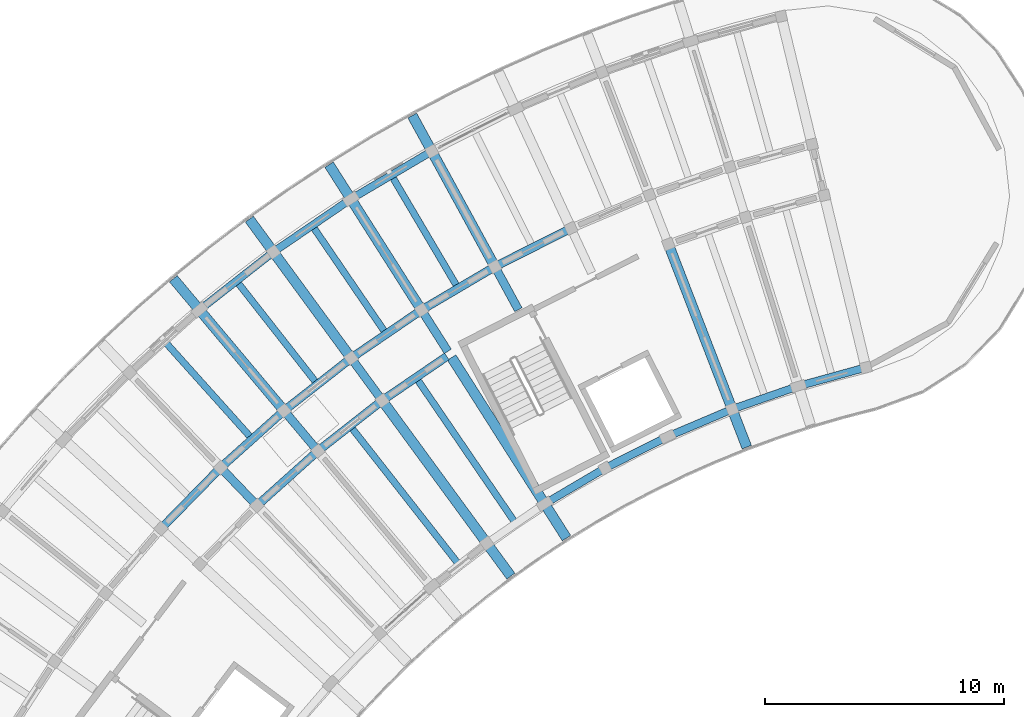
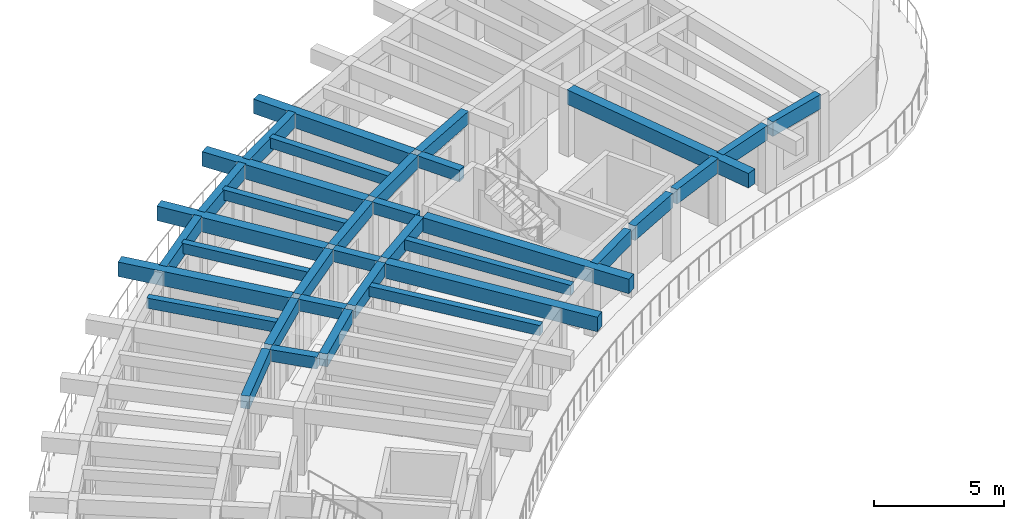
# One storey, part 6 of 32: 35 beams.
"""IFC4 building model written with IfcOpenShell, lengths in metres."""

from ifc_helpers import new_model, si_unit, direction, frame, origin, origin_2d, place, context, subcontext, project, spatial, rectangle, extrude, material, material_profile, profile_set, type_object, element, save


model = new_model("IFC4")

# Units and contexts
model_context = context("Model", 3, precision=1e-05, world=origin(), true_north=direction((0.0, 1.0)))
body_context = subcontext(model_context, "Body", "Model", "MODEL_VIEW")
ifc_project = project(units=[si_unit("LENGTHUNIT", "METRE"), si_unit("AREAUNIT", "SQUARE_METRE"), si_unit("VOLUMEUNIT", "CUBIC_METRE"), si_unit("PLANEANGLEUNIT", "RADIAN"), si_unit("MASSUNIT", "GRAM", prefix="KILO")], contexts=[model_context])

# Site, building, storey
site_placement = place(None, origin())
site = spatial("IfcSite", under=ifc_project, at=site_placement, CompositionType="ELEMENT")
building_placement = place(site_placement, origin())
building = spatial("IfcBuilding", under=site, at=building_placement, Name="Tanwirah Colonnade Gardens", CompositionType="ELEMENT")
storey_placement = place(building_placement, frame((0.0, 0.0, 42.43994140625)))
storey = spatial("IfcBuildingStorey", under=building, at=storey_placement, Name="L12", CompositionType="ELEMENT", Elevation=42.43994140625)

# Beams
ifc_material_1 = material(Name="Precast concrete C40/50", Category="concrete")
ifc_material_profile_1 = material_profile(ifc_material_1, rectangle(XDim=0.35009765625, YDim=0.550048828125, at=origin_2d()), Name="PC-BM 350x550")
ifc_profile_set_1 = profile_set([ifc_material_profile_1], Name="Precast concrete C40/50")
beam_type_1 = type_object("IfcBeamType", Name="BM-PC350A", PredefinedType="BEAM", material=ifc_profile_set_1)
for number, where, z_axis, x_axis, name in (
    (1, (40.054931640625, 105.826171875, 2.844970703125), (-0.479707235792, 0.877428611301, 0.0), (-0.877428611301, -0.479707235792, 0.0), "Block A L12 Corridor Tie Beam 6"),
    (2, (37.10302734375, 104.08349609375, 2.844970703125), (-0.536509579595, 0.843894229749, 0.0), (-0.843894229749, -0.536509579595, 0.0), "Block A L12 Corridor Tie Beam 7"),
):
    element("IfcBeam", number, at=place(storey_placement, frame(where, z_axis=z_axis, x_axis=x_axis)), inside=storey, type_object=beam_type_1, Name=name, PredefinedType="BEAM", context=body_context, shape_type="SweptSolid", body=[
        extrude(rectangle(XDim=0.35009765625, YDim=0.550048828125, at=origin_2d()), origin(), (0.0, 0.0, 1.0), 1.89990234375),
    ])
beam_1_placement = place(storey_placement, frame((34.272216796875, 102.14990234375, 2.844970703125), z_axis=(-0.590895676149, 0.806747977939, 0.0), x_axis=(-0.806747977939, -0.590895676149, 0.0)))
element("IfcBeam", 3, at=beam_1_placement, inside=storey, type_object=beam_type_1, Name="Block A L12 Corridor Tie Beam 8", PredefinedType="BEAM", context=body_context, shape_type="SweptSolid", body=[
    extrude(rectangle(XDim=0.35009765625, YDim=0.550048828125, at=origin_2d()), origin(), (0.0, 0.0, 1.0), 1.900146484375),
])
beam_2_placement = place(storey_placement, frame((31.574951171875, 100.034423828125, 2.844970703125), z_axis=(-0.642797194343, 0.766036400535, 0.0), x_axis=(-0.766036400535, -0.642797194343, 0.0)))
element("IfcBeam", 4, at=beam_2_placement, inside=storey, type_object=beam_type_1, Name="Block A L12 Corridor Tie Beam 9", PredefinedType="BEAM", context=body_context, shape_type="SweptSolid", body=[
    extrude(rectangle(XDim=0.35009765625, YDim=0.550048828125, at=origin_2d()), origin(), (0.0, 0.0, 1.0), 1.89990234375),
])
beam_3_placement = place(storey_placement, frame((29.023193359375, 97.74560546875, 2.844970703125), z_axis=(-0.691913735329, 0.721980181766, 0.0), x_axis=(-0.721980181766, -0.691913735329, 0.0)))
element("IfcBeam", 5, at=beam_3_placement, inside=storey, type_object=beam_type_1, Name="Block A L12 Corridor Tie Beam 10", PredefinedType="BEAM", context=body_context, shape_type="SweptSolid", body=[
    extrude(rectangle(XDim=0.35009765625, YDim=0.550048828125, at=origin_2d()), origin(), (0.0, 0.0, 1.0), 1.900146484375),
])
ifc_material_profile_2 = material_profile(ifc_material_1, rectangle(XDim=0.35009765625, YDim=0.60009765625, at=origin_2d()), Name="PC-BM 350x600")
ifc_profile_set_2 = profile_set([ifc_material_profile_2], Name="Precast concrete C40/50")
beam_type_2 = type_object("IfcBeamType", Name="BM-PC350B", PredefinedType="BEAM", material=ifc_profile_set_2)
for number, where, z_axis, x_axis, name in (
    (6, (42.11865234375, 109.16259765625, 2.820068359375), (-0.89276014323, -0.450532270387, 0.0), (0.450532270387, -0.89276014323, 0.0), "Block A L12 Circumferential Beam 5-R2"),
    (7, (38.9423828125, 107.548583984375, 2.820068359375), (-0.861134978964, -0.508376384193, 0.0), (0.508376384193, -0.861134978964, 0.0), "Block A L12 Circumferential Beam 6-R2"),
):
    element("IfcBeam", number, at=place(storey_placement, frame(where, z_axis=z_axis, x_axis=x_axis)), inside=storey, type_object=beam_type_2, Name=name, PredefinedType="BEAM", context=body_context, shape_type="SweptSolid", body=[
        extrude(rectangle(XDim=0.35009765625, YDim=0.60009765625, at=origin_2d()), origin(), (0.0, 0.0, 1.0), 3.26318359375),
    ])
beam_4_placement = place(storey_placement, frame((37.0595703125, 103.872314453125, 2.820068359375), z_axis=(-0.825758291455, -0.564024152047, 0.0), x_axis=(0.564024152047, -0.825758291455, 0.0)))
element("IfcBeam", 8, at=beam_4_placement, inside=storey, type_object=beam_type_2, Name="Block A L12 Circumferential Beam 7-R1", PredefinedType="BEAM", context=body_context, shape_type="SweptSolid", body=[
    extrude(rectangle(XDim=0.35009765625, YDim=0.60009765625, at=origin_2d()), origin(), (0.0, 0.0, 1.0), 3.118408203125),
])
beam_5_placement = place(storey_placement, frame((35.87939453125, 105.728759765625, 2.820068359375), z_axis=(-0.825782284145, -0.563989024, 0.0), x_axis=(0.563989024, -0.825782284145, 0.0)))
element("IfcBeam", 9, at=beam_5_placement, inside=storey, type_object=beam_type_2, Name="Block A L12 Circumferential Beam 7-R2", PredefinedType="BEAM", context=body_context, shape_type="SweptSolid", body=[
    extrude(rectangle(XDim=0.35009765625, YDim=0.60009765625, at=origin_2d()), origin(), (0.0, 0.0, 1.0), 3.26318359375),
])
beam_6_placement = place(storey_placement, frame((34.242919921875, 101.9365234375, 2.820068359375), z_axis=(-0.78679899272, -0.617209320292, 0.0), x_axis=(0.617209320292, -0.78679899272, 0.0)))
element("IfcBeam", 10, at=beam_6_placement, inside=storey, type_object=beam_type_2, Name="Block A L12 Circumferential Beam 8-R1", PredefinedType="BEAM", context=body_context, shape_type="SweptSolid", body=[
    extrude(rectangle(XDim=0.35009765625, YDim=0.60009765625, at=origin_2d()), origin(), (0.0, 0.0, 1.0), 3.1181640625),
])
beam_7_placement = place(storey_placement, frame((32.94287109375, 103.711181640625, 2.820068359375), z_axis=(-0.786839882256, -0.617157192044, 0.0), x_axis=(0.617157192044, -0.786839882256, 0.0)))
element("IfcBeam", 11, at=beam_7_placement, inside=storey, type_object=beam_type_2, Name="Block A L12 Circumferential Beam 8-R2", PredefinedType="BEAM", context=body_context, shape_type="SweptSolid", body=[
    extrude(rectangle(XDim=0.35009765625, YDim=0.60009765625, at=origin_2d()), origin(), (0.0, 0.0, 1.0), 3.26318359375),
])
beam_8_placement = place(storey_placement, frame((31.559814453125, 99.8193359375, 2.820068359375), z_axis=(-0.744429866059, -0.667700662363, 0.0), x_axis=(0.667700662363, -0.744429866059, 0.0)))
element("IfcBeam", 12, at=beam_8_placement, inside=storey, type_object=beam_type_2, Name="Block A L12 Circumferential Beam 9-R1", PredefinedType="BEAM", context=body_context, shape_type="SweptSolid", body=[
    extrude(rectangle(XDim=0.35009765625, YDim=0.60009765625, at=origin_2d()), origin(), (0.0, 0.0, 1.0), 3.1181640625),
])
beam_9_placement = place(storey_placement, frame((30.145751953125, 101.504638671875, 2.820068359375), z_axis=(-0.744409136578, -0.667723773262, 0.0), x_axis=(0.667723773262, -0.744409136578, 0.0)))
element("IfcBeam", 13, at=beam_9_placement, inside=storey, type_object=beam_type_2, Name="Block A L12 Circumferential Beam 9-R2", PredefinedType="BEAM", context=body_context, shape_type="SweptSolid", body=[
    extrude(rectangle(XDim=0.35009765625, YDim=0.60009765625, at=origin_2d()), origin(), (0.0, 0.0, 1.0), 3.26318359375),
])
beam_10_placement = place(storey_placement, frame((27.5, 99.118408203125, 2.820068359375), z_axis=(-0.698829447339, -0.71528833594, 0.0), x_axis=(0.71528833594, -0.698829447339, 0.0)))
element("IfcBeam", 14, at=beam_10_placement, inside=storey, type_object=beam_type_2, Name="Block A L12 Circumferential Beam 10-R2", PredefinedType="BEAM", context=body_context, shape_type="SweptSolid", body=[
    extrude(rectangle(XDim=0.35009765625, YDim=0.60009765625, at=origin_2d()), origin(), (0.0, 0.0, 1.0), 3.263427734375),
])
ifc_material_2 = material(Name="Precast concrete C45/55", Category="concrete")
ifc_material_profile_3 = material_profile(ifc_material_2, rectangle(XDim=0.419921875, YDim=0.679931640625, at=origin_2d()), Name="PC-BM 420x680")
ifc_profile_set_3 = profile_set([ifc_material_profile_3], Name="Precast concrete C45/55")
beam_type_3 = type_object("IfcBeamType", Name="BM-PC420", PredefinedType="BEAM", material=ifc_profile_set_3)
beam_11_placement = place(storey_placement, frame((46.37890625, 108.43017578125, 2.780029296875), z_axis=(0.360155980892, -0.932892099563, 0.0), x_axis=(0.932892099563, 0.360155980892, 0.0)))
element("IfcBeam", 15, at=beam_11_placement, inside=storey, type_object=beam_type_3, Name="Block A L12 Inner Radial Precast Girder 4", PredefinedType="BEAM", context=body_context, shape_type="SweptSolid", body=[
    extrude(rectangle(XDim=0.419921875, YDim=0.679931640625, at=origin_2d()), origin(), (0.0, 0.0, 1.0), 8.949951171875),
])
beam_12_placement = place(storey_placement, frame((38.99951171875, 107.75634765625, 2.780029296875), z_axis=(-0.479686549155, 0.877439920769, 0.0), x_axis=(-0.877439920769, -0.479686549155, 0.0)))
element("IfcBeam", 16, at=beam_12_placement, inside=storey, type_object=beam_type_3, Name="Block A L12 Outer Radial Precast Girder 6", PredefinedType="BEAM", context=body_context, shape_type="SweptSolid", body=[
    extrude(rectangle(XDim=0.419921875, YDim=0.679931640625, at=origin_2d()), origin(), (0.0, 0.0, 1.0), 7.050048828125),
])
beam_13_placement = place(storey_placement, frame((37.263916015625, 103.830322265625, 2.780029296875), z_axis=(0.536483588607, -0.843910753075, 0.0), x_axis=(0.843910753075, 0.536483588607, 0.0)))
element("IfcBeam", 17, at=beam_13_placement, inside=storey, type_object=beam_type_3, Name="Block A L12 Inner Radial Precast Girder 7", PredefinedType="BEAM", context=body_context, shape_type="SweptSolid", body=[
    extrude(rectangle(XDim=0.419921875, YDim=0.679931640625, at=origin_2d()), origin(), (0.0, 0.0, 1.0), 8.949951171875),
])
beam_14_placement = place(storey_placement, frame((35.922607421875, 105.93994140625, 2.780029296875), z_axis=(-0.536476584537, 0.8439152056, 0.0), x_axis=(-0.8439152056, -0.536476584537, 0.0)))
element("IfcBeam", 18, at=beam_14_placement, inside=storey, type_object=beam_type_3, Name="Block A L12 Outer Radial Precast Girder 7", PredefinedType="BEAM", context=body_context, shape_type="SweptSolid", body=[
    extrude(rectangle(XDim=0.419921875, YDim=0.679931640625, at=origin_2d()), origin(), (0.0, 0.0, 1.0), 7.050048828125),
])
beam_15_placement = place(storey_placement, frame((34.449462890625, 101.907958984375, 2.780029296875), z_axis=(0.590927205009, -0.806724883947, 0.0), x_axis=(0.806724883947, 0.590927205009, 0.0)))
element("IfcBeam", 19, at=beam_15_placement, inside=storey, type_object=beam_type_3, Name="Block A L12 Inner Radial Precast Girder 8", PredefinedType="BEAM", context=body_context, shape_type="SweptSolid", body=[
    extrude(rectangle(XDim=0.419921875, YDim=0.679931640625, at=origin_2d()), origin(), (0.0, 0.0, 1.0), 8.949951171875),
])
beam_16_placement = place(storey_placement, frame((32.97216796875, 103.9248046875, 2.780029296875), z_axis=(-0.590919194225, 0.806730751798, 0.0), x_axis=(-0.806730751798, -0.590919194225, 0.0)))
element("IfcBeam", 20, at=beam_16_placement, inside=storey, type_object=beam_type_3, Name="Block A L12 Outer Radial Precast Girder 8", PredefinedType="BEAM", context=body_context, shape_type="SweptSolid", body=[
    extrude(rectangle(XDim=0.419921875, YDim=0.679931640625, at=origin_2d()), origin(), (0.0, 0.0, 1.0), 7.050048828125),
])
beam_17_placement = place(storey_placement, frame((30.160888671875, 101.7197265625, 2.780029296875), z_axis=(-0.642810291951, 0.766025409867, 0.0), x_axis=(-0.766025409867, -0.642810291951, 0.0)))
element("IfcBeam", 21, at=beam_17_placement, inside=storey, type_object=beam_type_3, Name="Block A L12 Outer Radial Precast Girder 9", PredefinedType="BEAM", context=body_context, shape_type="SweptSolid", body=[
    extrude(rectangle(XDim=0.419921875, YDim=0.679931640625, at=origin_2d()), origin(), (0.0, 0.0, 1.0), 7.0498046875),
])
ifc_material_profile_4 = material_profile(ifc_material_1, rectangle(XDim=0.280029296875, YDim=0.47998046875, at=origin_2d()), Name="PC-JST 280x480")
ifc_profile_set_4 = profile_set([ifc_material_profile_4], Name="Precast concrete C40/50")
beam_type_4 = type_object("IfcBeamType", Name="JST-PC280", PredefinedType="JOIST", material=ifc_profile_set_4)
beam_18_placement = place(storey_placement, frame((37.46142578125, 106.84765625, 2.880126953125), z_axis=(-0.508360236823, 0.86114451146, 0.0), x_axis=(-0.86114451146, -0.508360236823, 0.0)))
element("IfcBeam", 22, at=beam_18_placement, inside=storey, type_object=beam_type_4, Name="Block A L12 Precast Floor Joist 6", PredefinedType="JOIST", context=body_context, shape_type="SweptSolid", body=[
    extrude(rectangle(XDim=0.280029296875, YDim=0.47998046875, at=origin_2d()), origin(), (0.0, 0.0, 1.0), 5.26025390625),
])
beam_19_placement = place(storey_placement, frame((34.44775390625, 104.931884765625, 2.880126953125), z_axis=(-0.563973225998, 0.825793073571, 0.0), x_axis=(-0.825793073571, -0.563973225998, 0.0)))
element("IfcBeam", 23, at=beam_19_placement, inside=storey, type_object=beam_type_4, Name="Block A L12 Precast Floor Joist 7", PredefinedType="JOIST", context=body_context, shape_type="SweptSolid", body=[
    extrude(rectangle(XDim=0.280029296875, YDim=0.47998046875, at=origin_2d()), origin(), (0.0, 0.0, 1.0), 5.260009765625),
])
beam_20_placement = place(storey_placement, frame((39.8623046875, 97.004638671875, 2.880126953125), z_axis=(-0.564021195806, 0.825760310672, 0.0), x_axis=(-0.825760310672, -0.564021195806, 0.0)))
element("IfcBeam", 24, at=beam_20_placement, inside=storey, type_object=beam_type_4, Name="Block A L12 Inner Precast Floor Joist 7", PredefinedType="JOIST", context=body_context, shape_type="SweptSolid", body=[
    extrude(rectangle(XDim=0.280029296875, YDim=0.47998046875, at=origin_2d()), origin(), (0.0, 0.0, 1.0), 7.159912109375),
])
beam_21_placement = place(storey_placement, frame((31.56689453125, 102.82177734375, 2.880126953125), z_axis=(-0.617177687243, 0.786823806433, 0.0), x_axis=(-0.786823806433, -0.617177687243, 0.0)))
element("IfcBeam", 25, at=beam_21_placement, inside=storey, type_object=beam_type_4, Name="Block A L12 Precast Floor Joist 8", PredefinedType="JOIST", context=body_context, shape_type="SweptSolid", body=[
    extrude(rectangle(XDim=0.280029296875, YDim=0.47998046875, at=origin_2d()), origin(), (0.0, 0.0, 1.0), 5.260009765625),
])
beam_22_placement = place(storey_placement, frame((37.491943359375, 95.268310546875, 2.880126953125), z_axis=(-0.617202438917, 0.786804390808, 0.0), x_axis=(-0.786804390808, -0.617202438917, 0.0)))
element("IfcBeam", 26, at=beam_22_placement, inside=storey, type_object=beam_type_4, Name="Block A L12 Inner Precast Floor Joist 8", PredefinedType="JOIST", context=body_context, shape_type="SweptSolid", body=[
    extrude(rectangle(XDim=0.280029296875, YDim=0.47998046875, at=origin_2d()), origin(), (0.0, 0.0, 1.0), 7.159912109375),
])
beam_23_placement = place(storey_placement, frame((28.831298828125, 100.5263671875, 2.880126953125), z_axis=(-0.667678987176, 0.744449306591, 0.0), x_axis=(-0.744449306591, -0.667678987176, 0.0)))
element("IfcBeam", 27, at=beam_23_placement, inside=storey, type_object=beam_type_4, Name="Block A L12 Precast Floor Joist 9", PredefinedType="JOIST", context=body_context, shape_type="SweptSolid", body=[
    extrude(rectangle(XDim=0.280029296875, YDim=0.47998046875, at=origin_2d()), origin(), (0.0, 0.0, 1.0), 5.260009765625),
])
ifc_material_profile_5 = material_profile(ifc_material_2, rectangle(XDim=0.320068359375, YDim=0.679931640625, at=origin_2d()), Name="PC-SP 320x680")
ifc_profile_set_5 = profile_set([ifc_material_profile_5], Name="Precast concrete C45/55")
beam_type_5 = type_object("IfcBeamType", Name="SP-PC320", PredefinedType="SPANDREL", material=ifc_profile_set_5)
beam_24_placement = place(storey_placement, frame((54.436767578125, 103.371826171875, 2.780029296875), z_axis=(-0.96388669146, -0.266312684688, 0.0), x_axis=(0.266312684688, -0.96388669146, 0.0)))
element("IfcBeam", 28, at=beam_24_placement, inside=storey, type_object=beam_type_5, Name="Block A L12 Circumferential Beam 2-R0", PredefinedType="SPANDREL", context=body_context, shape_type="SweptSolid", body=[
    extrude(rectangle(XDim=0.320068359375, YDim=0.679931640625, at=origin_2d()), origin(), (0.0, 0.0, 1.0), 2.630126953125),
])
for number, where, z_axis, x_axis, name in (
    (29, (51.615478515625, 102.58203125, 2.780029296875), (-0.944249847334, -0.32922974624, 0.0), (0.32922974624, -0.944249847334, 0.0), "Block A L12 Circumferential Beam 3-R0"),
    (30, (48.85205078125, 101.608154296875, 2.780029296875), (-0.920488719784, -0.390769134848, 0.0), (0.390769134848, -0.920488719784, 0.0), "Block A L12 Circumferential Beam 4-R0"),
    (31, (46.158935546875, 100.4541015625, 2.780029296875), (-0.892769015158, -0.450514689632, 0.0), (0.450514689632, -0.892769015158, 0.0), "Block A L12 Circumferential Beam 5-R0"),
    (32, (43.547607421875, 99.125244140625, 2.780029296875), (-0.861148181788, -0.508354019363, 0.0), (0.508354019363, -0.861148181788, 0.0), "Block A L12 Circumferential Beam 6-R0"),
):
    element("IfcBeam", number, at=place(storey_placement, frame(where, z_axis=z_axis, x_axis=x_axis)), inside=storey, type_object=beam_type_5, Name=name, PredefinedType="SPANDREL", context=body_context, shape_type="SweptSolid", body=[
        extrude(rectangle(XDim=0.320068359375, YDim=0.679931640625, at=origin_2d()), origin(), (0.0, 0.0, 1.0), 2.63037109375),
    ])
for number, where, z_axis, x_axis, name in (
    (33, (36.303955078125, 112.37451171875, 2.780029296875), (-0.861136912545, -0.5083731089, 0.0), (0.5083731089, -0.861136912545, 0.0), "Block A L12 Circumferential Beam 6-R3"),
    (34, (32.9287109375, 110.370361328125, 2.780029296875), (-0.825782625102, -0.563988524776, 0.0), (0.563988524776, -0.825782625102, 0.0), "Block A L12 Circumferential Beam 7-R3"),
):
    element("IfcBeam", number, at=place(storey_placement, frame(where, z_axis=z_axis, x_axis=x_axis)), inside=storey, type_object=beam_type_5, Name=name, PredefinedType="SPANDREL", context=body_context, shape_type="SweptSolid", body=[
        extrude(rectangle(XDim=0.320068359375, YDim=0.679931640625, at=origin_2d()), origin(), (0.0, 0.0, 1.0), 3.625732421875),
    ])
beam_25_placement = place(storey_placement, frame((29.69287109375, 108.148193359375, 2.780029296875), z_axis=(-0.786843799845, -0.617152197311, 0.0), x_axis=(0.617152197311, -0.786843799845, 0.0)))
element("IfcBeam", 35, at=beam_25_placement, inside=storey, type_object=beam_type_5, Name="Block A L12 Circumferential Beam 8-R3", PredefinedType="SPANDREL", context=body_context, shape_type="SweptSolid", body=[
    extrude(rectangle(XDim=0.320068359375, YDim=0.679931640625, at=origin_2d()), origin(), (0.0, 0.0, 1.0), 3.62548828125),
])

save(model, "model.ifc")
